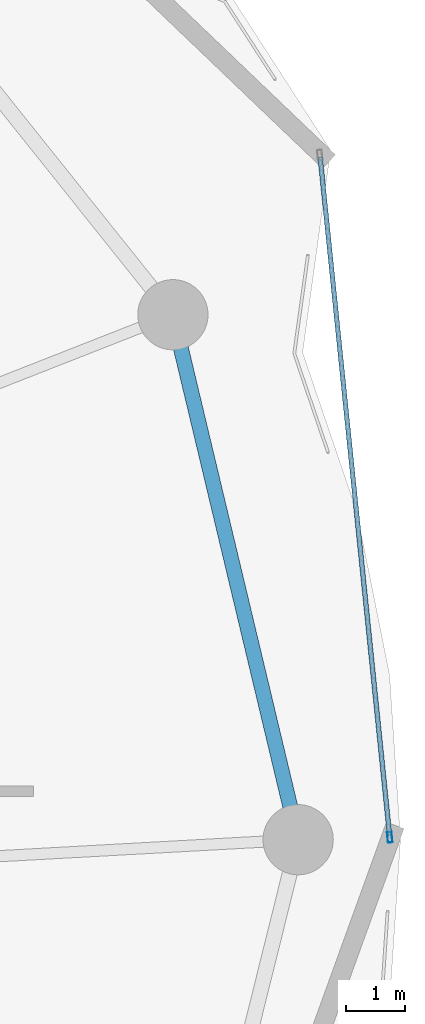
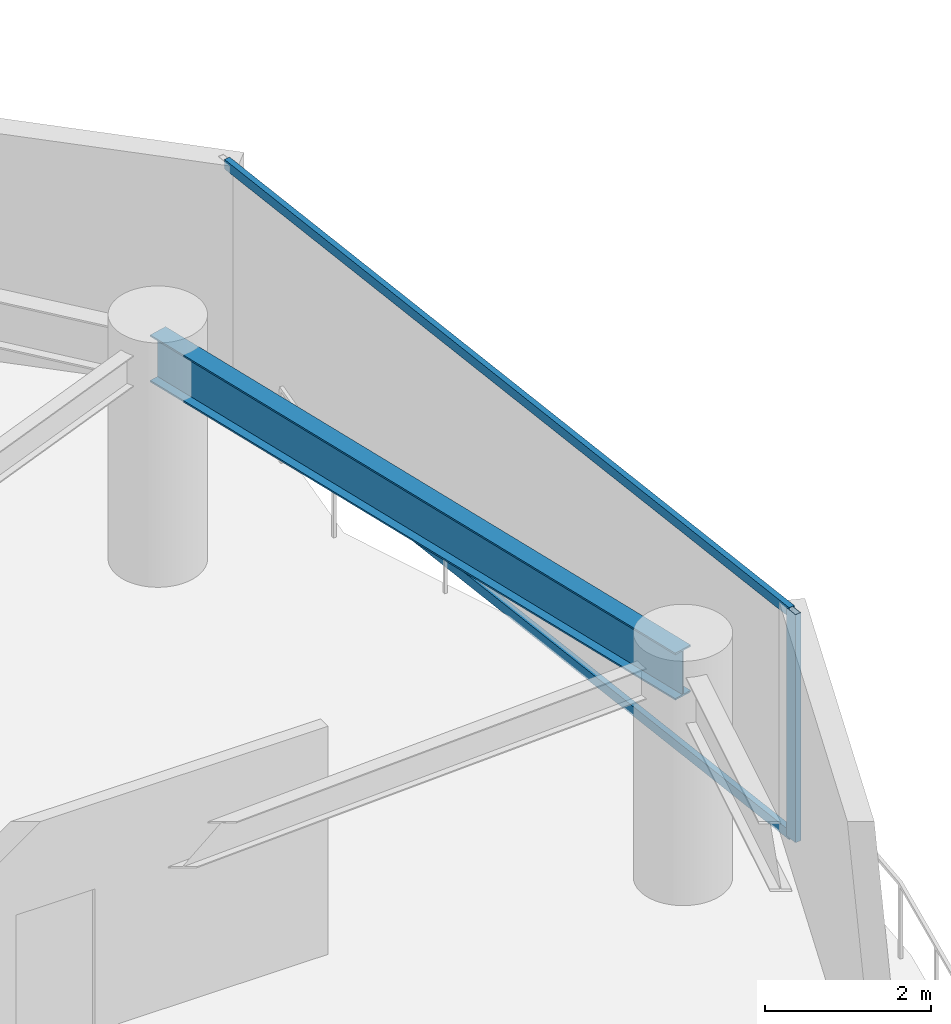
# One storey, part 15 of 30: 3 members, 1 beam, 1 element without a shape of its own.
"""IFC4 building model written with IfcOpenShell, lengths in metres."""

from ifc_helpers import new_model, si_unit, direction, frame, origin, origin_2d, place, context, subcontext, project, spatial, hollow_rectangle, i_section, extrude, material, layer, layer_set, material_profile, profile_set, type_object, element, aggregate, save


model = new_model("IFC4")

# Units and contexts
model_context = context("Model", 3, precision=1e-05, world=origin(), true_north=direction((0.0, 1.0)))
body_context = subcontext(model_context, "Body", "Model", "MODEL_VIEW")
ifc_project = project(units=[si_unit("LENGTHUNIT", "METRE"), si_unit("AREAUNIT", "SQUARE_METRE"), si_unit("VOLUMEUNIT", "CUBIC_METRE"), si_unit("PLANEANGLEUNIT", "RADIAN"), si_unit("MASSUNIT", "GRAM", prefix="KILO")], contexts=[model_context])

# Site, building, storey
site_placement = place(None, origin())
site = spatial("IfcSite", under=ifc_project, at=site_placement, CompositionType="ELEMENT")
building_placement = place(site_placement, origin())
building = spatial("IfcBuilding", under=site, at=building_placement, Name="Kazevale Care Tower and Concert Hall", CompositionType="ELEMENT")
storey_placement = place(building_placement, frame((0.0, 0.0, 127.800048828125)))
storey = spatial("IfcBuildingStorey", under=building, at=storey_placement, Name="L33", CompositionType="ELEMENT", Elevation=127.800048828125)

# Curtain wall, members
ifc_material_1 = material(Name="Aluminium 6063-T6 and Low-E Glass", Category="aluminium")
ifc_layer = layer(ifc_material_1, 0.179931640625)
ifc_layer_set = layer_set([ifc_layer], Name="Aluminium 6063-T6 and Low-E Glass")
curtain_wall_type = type_object("IfcCurtainWallType", Name="Waist & Upper Residential Curtain Wall CW-4", PredefinedType="NOTDEFINED", material=ifc_layer_set)
curtain_wall_placement = place(storey_placement, origin())
curtain_wall = element("IfcCurtainWall", 1, at=curtain_wall_placement, inside=storey, type_object=curtain_wall_type, Name="cw:L33:f18", PredefinedType="NOTDEFINED")
ifc_material_2 = material(Name="Aluminium 6063-T6", Category="aluminium")
ifc_material_profile_1 = material_profile(ifc_material_2, hollow_rectangle(XDim=0.080078125, YDim=0.179931640625, WallThickness=0.0048828125, at=origin_2d()), Name="ALU80x180x5")
ifc_profile_set_1 = profile_set([ifc_material_profile_1], Name="Aluminium 6063-T6")
member_type_1 = type_object("IfcMemberType", Name="CW-4 Mullion ALU80x180x5", PredefinedType="MULLION", material=ifc_profile_set_1)
member_1_placement = place(storey_placement, frame((74.615966796875, 38.039794921875, 0.0), z_axis=(0.0, 0.0, 1.0), x_axis=(0.994797747326, 0.101869730126, 0.0)))
member_1 = element("IfcMember", 2, at=member_1_placement, type_object=member_type_1, Name="CW-4 mullion 2", PredefinedType="MULLION", context=body_context, shape_type="SweptSolid", body=[
    extrude(hollow_rectangle(XDim=0.080078125, YDim=0.179931640625, WallThickness=0.0048828125, at=origin_2d()), origin(), (0.0, 0.0, 1.0), 3.35986328125),
])
ifc_material_profile_2 = material_profile(ifc_material_2, hollow_rectangle(XDim=0.080078125, YDim=0.139892578125, WallThickness=0.00390625, at=origin_2d()), Name="ALU80x140x4")
ifc_profile_set_2 = profile_set([ifc_material_profile_2], Name="Aluminium 6063-T6")
member_type_2 = type_object("IfcMemberType", Name="CW-4 Transom ALU80x140x4", PredefinedType="USERDEFINED", material=ifc_profile_set_2)
member_2_placement = place(storey_placement, frame((73.42626953125, 49.658447265625, 0.0400390625), z_axis=(0.101856421, -0.994799110123, 0.0), x_axis=(0.994799110123, 0.101856421, 0.0)))
member_2 = element("IfcMember", 3, at=member_2_placement, type_object=member_type_2, Name="CW-4 transom 1.1", ObjectType="TRANSOM", PredefinedType="USERDEFINED", context=body_context, shape_type="SweptSolid", body=[
    extrude(hollow_rectangle(XDim=0.080078125, YDim=0.139892578125, WallThickness=0.00390625, at=origin_2d()), origin(), (0.0, 0.0, 1.0), 11.639404296875),
])
member_3_placement = place(storey_placement, frame((73.42626953125, 49.658447265625, 3.320068359375), z_axis=(0.101856421, -0.994799110123, 0.0), x_axis=(0.994799110123, 0.101856421, 0.0)))
member_3 = element("IfcMember", 4, at=member_3_placement, type_object=member_type_2, Name="CW-4 transom 1.2", ObjectType="TRANSOM", PredefinedType="USERDEFINED", context=body_context, shape_type="SweptSolid", body=[
    extrude(hollow_rectangle(XDim=0.080078125, YDim=0.139892578125, WallThickness=0.00390625, at=origin_2d()), origin(), (0.0, 0.0, 1.0), 11.639404296875),
])
aggregate(curtain_wall, [member_1, member_2, member_3])

# Beam
ifc_material_3 = material(Name="Steel ASTM A572 Gr 50", Category="steel")
ifc_material_profile_3 = material_profile(ifc_material_3, i_section(OverallWidth=0.256103515625, OverallDepth=0.693115234375, WebThickness=0.014404296875, FlangeThickness=0.023681640625, at=origin_2d()), Name="W690x170")
ifc_profile_set_3 = profile_set([ifc_material_profile_3], Name="Steel ASTM A572 Gr 50")
beam_type = type_object("IfcBeamType", Name="Waist Ring Beam W690x170", PredefinedType="BEAM", material=ifc_profile_set_3)
beam_placement = place(storey_placement, frame((73.050048828125, 38.0, 3.013427734375), z_axis=(-0.232075055882, 0.972697881378, 0.0), x_axis=(-0.972697881378, -0.232075055882, 0.0)))
element("IfcBeam", 5, at=beam_placement, inside=storey, type_object=beam_type, Name="beam:L33:ring:01", PredefinedType="BEAM", context=body_context, shape_type="SweptSolid", body=[
    extrude(i_section(OverallWidth=0.256103515625, OverallDepth=0.693115234375, WebThickness=0.014404296875, FlangeThickness=0.023681640625, at=origin_2d()), origin(), (0.0, 0.0, 1.0), 9.2216796875),
])

save(model, "model.ifc")
